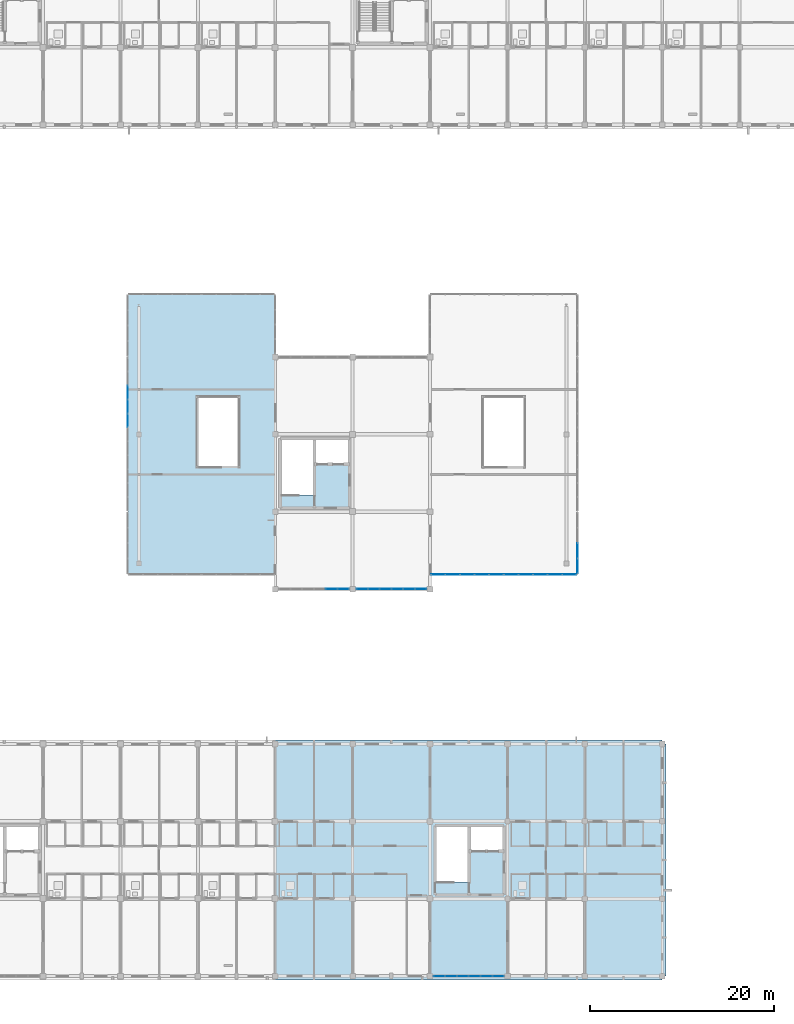
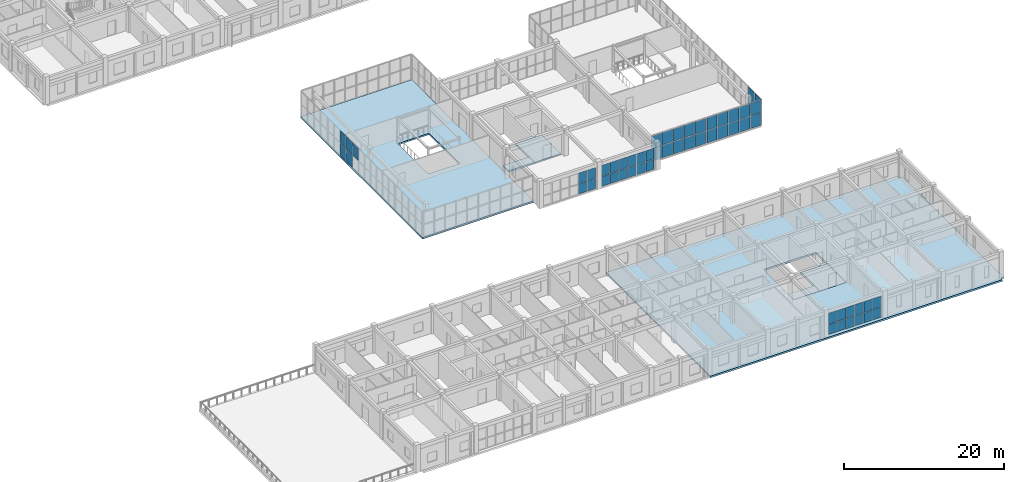
# One storey, part 53 of 81: 57 plates, 6 slabs, 7 elements without a shape of their own.
"""IFC4 building model written with IfcOpenShell, lengths in metres."""

from ifc_helpers import new_model, si_unit, direction, frame, origin, origin_2d, place, context, subcontext, project, spatial, polyline, rectangle, outline, extrude, material, layer, layer_set, type_object, element, aggregate, save


model = new_model("IFC4")

# Units and contexts
model_context = context("Model", 3, precision=1e-05, world=origin(), true_north=direction((0.0, 1.0)))
body_context = subcontext(model_context, "Body", "Model", "MODEL_VIEW")
ifc_project = project(units=[si_unit("LENGTHUNIT", "METRE"), si_unit("AREAUNIT", "SQUARE_METRE"), si_unit("VOLUMEUNIT", "CUBIC_METRE"), si_unit("PLANEANGLEUNIT", "RADIAN"), si_unit("MASSUNIT", "GRAM", prefix="KILO")], contexts=[model_context])

# Site, building, storey
site_placement = place(None, origin())
site = spatial("IfcSite", under=ifc_project, at=site_placement, CompositionType="ELEMENT")
building_placement = place(site_placement, origin())
building = spatial("IfcBuilding", under=site, at=building_placement, Name="Trelvath General Hospital", CompositionType="ELEMENT")
storey_placement = place(building_placement, frame((0.0, 0.0, 24.60009765625)))
storey = spatial("IfcBuildingStorey", under=building, at=storey_placement, Name="L06", CompositionType="ELEMENT", Elevation=24.60009765625)

# Curtain wall, plates
ifc_material_1 = material(Name="Anodised aluminium and low-E glass", Category="aluminium")
ifc_layer_1 = layer(ifc_material_1, 0.14990234375)
ifc_layer_set_1 = layer_set([ifc_layer_1], Name="Anodised aluminium and low-E glass")
curtain_wall_type_1 = type_object("IfcCurtainWallType", Name="CW Facade 767 334 15", PredefinedType="USERDEFINED", material=ifc_layer_set_1)
curtain_wall_1_placement = place(storey_placement, origin())
curtain_wall_1 = element("IfcCurtainWall", 1, at=curtain_wall_1_placement, inside=storey, type_object=curtain_wall_type_1, Name="Facade Curtain Wall CW-082", ObjectType="Unitised Glazed Curtain Wall", PredefinedType="USERDEFINED")
ifc_material_2 = material(Name="Low-E laminated glass", Category="glass")
ifc_layer_2 = layer(ifc_material_2, 0.028076171875)
ifc_layer_set_2 = layer_set([ifc_layer_2], Name="Low-E laminated glass")
plate_type_1 = type_object("IfcPlateType", Name="CurtainPanel Glass28", PredefinedType="CURTAIN_PANEL", material=ifc_layer_set_2)
plate_1_placement = place(storey_placement, frame((99.78076171875, 0.0, 0.06005859375), z_axis=(0.0, 0.0, 1.0), x_axis=(-1.0, 0.0, 0.0)))
plate_1 = element("IfcPlate", 2, at=plate_1_placement, type_object=plate_type_1, Name="CW-082 panel 1.1", PredefinedType="CURTAIN_PANEL", context=body_context, shape_type="SweptSolid", body=[
    extrude(rectangle(XDim=1.188232421875, YDim=0.028076171875, at=origin_2d()), origin(), (0.0, 0.0, 1.0), 1.512939453125),
])
plate_2_placement = place(storey_placement, frame((99.78076171875, 0.0, 1.6328125), z_axis=(0.0, 0.0, 1.0), x_axis=(-1.0, 0.0, 0.0)))
plate_2 = element("IfcPlate", 3, at=plate_2_placement, type_object=plate_type_1, Name="CW-082 panel 1.2", PredefinedType="CURTAIN_PANEL", context=body_context, shape_type="SweptSolid", body=[
    extrude(rectangle(XDim=1.188232421875, YDim=0.028076171875, at=origin_2d()), origin(), (0.0, 0.0, 1.0), 1.64697265625),
])
plate_3_placement = place(storey_placement, frame((98.517578125, 0.0, 0.06005859375), z_axis=(0.0, 0.0, 1.0), x_axis=(-1.0, 0.0, 0.0)))
plate_3 = element("IfcPlate", 4, at=plate_3_placement, type_object=plate_type_1, Name="CW-082 panel 2.1", PredefinedType="CURTAIN_PANEL", context=body_context, shape_type="SweptSolid", body=[
    extrude(rectangle(XDim=1.21826171875, YDim=0.028076171875, at=origin_2d()), origin(), (0.0, 0.0, 1.0), 1.512939453125),
])
plate_4_placement = place(storey_placement, frame((98.517578125, 0.0, 1.6328125), z_axis=(0.0, 0.0, 1.0), x_axis=(-1.0, 0.0, 0.0)))
plate_4 = element("IfcPlate", 5, at=plate_4_placement, type_object=plate_type_1, Name="CW-082 panel 2.2", PredefinedType="CURTAIN_PANEL", context=body_context, shape_type="SweptSolid", body=[
    extrude(rectangle(XDim=1.21826171875, YDim=0.028076171875, at=origin_2d()), origin(), (0.0, 0.0, 1.0), 1.64697265625),
])
plate_5_placement = place(storey_placement, frame((97.2392578125, 0.0, 0.06005859375), z_axis=(0.0, 0.0, 1.0), x_axis=(-1.0, 0.0, 0.0)))
plate_5 = element("IfcPlate", 6, at=plate_5_placement, type_object=plate_type_1, Name="CW-082 panel 3.1", PredefinedType="CURTAIN_PANEL", context=body_context, shape_type="SweptSolid", body=[
    extrude(rectangle(XDim=1.21826171875, YDim=0.028076171875, at=origin_2d()), origin(), (0.0, 0.0, 1.0), 1.512939453125),
])
plate_6_placement = place(storey_placement, frame((97.2392578125, 0.0, 1.6328125), z_axis=(0.0, 0.0, 1.0), x_axis=(-1.0, 0.0, 0.0)))
plate_6 = element("IfcPlate", 7, at=plate_6_placement, type_object=plate_type_1, Name="CW-082 panel 3.2", PredefinedType="CURTAIN_PANEL", context=body_context, shape_type="SweptSolid", body=[
    extrude(rectangle(XDim=1.21826171875, YDim=0.028076171875, at=origin_2d()), origin(), (0.0, 0.0, 1.0), 1.64697265625),
])
plate_7_placement = place(storey_placement, frame((95.9609375, 0.0, 0.06005859375), z_axis=(0.0, 0.0, 1.0), x_axis=(-1.0, 0.0, 0.0)))
plate_7 = element("IfcPlate", 8, at=plate_7_placement, type_object=plate_type_1, Name="CW-082 panel 4.1", PredefinedType="CURTAIN_PANEL", context=body_context, shape_type="SweptSolid", body=[
    extrude(rectangle(XDim=1.21826171875, YDim=0.028076171875, at=origin_2d()), origin(), (0.0, 0.0, 1.0), 1.512939453125),
])
plate_8_placement = place(storey_placement, frame((95.9609375, 0.0, 1.6328125), z_axis=(0.0, 0.0, 1.0), x_axis=(-1.0, 0.0, 0.0)))
plate_8 = element("IfcPlate", 9, at=plate_8_placement, type_object=plate_type_1, Name="CW-082 panel 4.2", PredefinedType="CURTAIN_PANEL", context=body_context, shape_type="SweptSolid", body=[
    extrude(rectangle(XDim=1.21826171875, YDim=0.028076171875, at=origin_2d()), origin(), (0.0, 0.0, 1.0), 1.64697265625),
])
plate_9_placement = place(storey_placement, frame((94.6826171875, 0.0, 0.06005859375), z_axis=(0.0, 0.0, 1.0), x_axis=(-1.0, 0.0, 0.0)))
plate_9 = element("IfcPlate", 10, at=plate_9_placement, type_object=plate_type_1, Name="CW-082 panel 5.1", PredefinedType="CURTAIN_PANEL", context=body_context, shape_type="SweptSolid", body=[
    extrude(rectangle(XDim=1.21826171875, YDim=0.028076171875, at=origin_2d()), origin(), (0.0, 0.0, 1.0), 1.512939453125),
])
plate_10_placement = place(storey_placement, frame((94.6826171875, 0.0, 1.6328125), z_axis=(0.0, 0.0, 1.0), x_axis=(-1.0, 0.0, 0.0)))
plate_10 = element("IfcPlate", 11, at=plate_10_placement, type_object=plate_type_1, Name="CW-082 panel 5.2", PredefinedType="CURTAIN_PANEL", context=body_context, shape_type="SweptSolid", body=[
    extrude(rectangle(XDim=1.21826171875, YDim=0.028076171875, at=origin_2d()), origin(), (0.0, 0.0, 1.0), 1.64697265625),
])
plate_11_placement = place(storey_placement, frame((93.419189453125, 0.0, 0.06005859375), z_axis=(0.0, 0.0, 1.0), x_axis=(-1.0, 0.0, 0.0)))
plate_11 = element("IfcPlate", 12, at=plate_11_placement, type_object=plate_type_1, Name="CW-082 panel 6.1", PredefinedType="CURTAIN_PANEL", context=body_context, shape_type="SweptSolid", body=[
    extrude(rectangle(XDim=1.188232421875, YDim=0.028076171875, at=origin_2d()), origin(), (0.0, 0.0, 1.0), 1.512939453125),
])
plate_12_placement = place(storey_placement, frame((93.419189453125, 0.0, 1.6328125), z_axis=(0.0, 0.0, 1.0), x_axis=(-1.0, 0.0, 0.0)))
plate_12 = element("IfcPlate", 13, at=plate_12_placement, type_object=plate_type_1, Name="CW-082 panel 6.2", PredefinedType="CURTAIN_PANEL", context=body_context, shape_type="SweptSolid", body=[
    extrude(rectangle(XDim=1.188232421875, YDim=0.028076171875, at=origin_2d()), origin(), (0.0, 0.0, 1.0), 1.64697265625),
])
aggregate(curtain_wall_1, [plate_1, plate_2, plate_3, plate_4, plate_5, plate_6, plate_7, plate_8, plate_9, plate_10, plate_11, plate_12])

ifc_material_3 = material(Name="Anodised aluminium and low-E glass", Category="aluminium")
ifc_layer_3 = layer(ifc_material_3, 0.139892578125)
ifc_layer_set_3 = layer_set([ifc_layer_3], Name="Anodised aluminium and low-E glass")
curtain_wall_type_2 = type_object("IfcCurtainWallType", Name="CW CrystalCube 1664 396 14", PredefinedType="USERDEFINED", material=ifc_layer_set_3)
curtain_wall_2_placement = place(storey_placement, origin())
curtain_wall_2 = element("IfcCurtainWall", 14, at=curtain_wall_2_placement, inside=storey, type_object=curtain_wall_type_2, Name="Crystal Cube Curtain Wall CUBE-W-T2 W2 L06", ObjectType="Unitised Glazed Curtain Wall", PredefinedType="USERDEFINED")
plate_13_placement = place(storey_placement, frame((59.60009765625, 60.312744140625, 2.009765625), z_axis=(0.0, 0.0, 1.0), x_axis=(0.0, 1.0, 0.0)))
plate_13 = element("IfcPlate", 15, at=plate_13_placement, type_object=plate_type_1, Name="CW-329 panel 7.2", PredefinedType="CURTAIN_PANEL", context=body_context, shape_type="SweptSolid", body=[
    extrude(rectangle(XDim=1.45263671875, YDim=0.028076171875, at=origin_2d()), origin(), (0.0, 0.0, 1.0), 1.889892578125),
])
plate_14_placement = place(storey_placement, frame((59.60009765625, 61.825439453125, 0.06005859375), z_axis=(0.0, 0.0, 1.0), x_axis=(0.0, 1.0, 0.0)))
plate_14 = element("IfcPlate", 16, at=plate_14_placement, type_object=plate_type_1, Name="CW-329 panel 8.1", PredefinedType="CURTAIN_PANEL", context=body_context, shape_type="SweptSolid", body=[
    extrude(rectangle(XDim=1.45263671875, YDim=0.028076171875, at=origin_2d()), origin(), (0.0, 0.0, 1.0), 1.889892578125),
])
plate_15_placement = place(storey_placement, frame((59.60009765625, 61.825439453125, 2.009765625), z_axis=(0.0, 0.0, 1.0), x_axis=(0.0, 1.0, 0.0)))
plate_15 = element("IfcPlate", 17, at=plate_15_placement, type_object=plate_type_1, Name="CW-329 panel 8.2", PredefinedType="CURTAIN_PANEL", context=body_context, shape_type="SweptSolid", body=[
    extrude(rectangle(XDim=1.45263671875, YDim=0.028076171875, at=origin_2d()), origin(), (0.0, 0.0, 1.0), 1.889892578125),
])
plate_16_placement = place(storey_placement, frame((59.60009765625, 63.338134765625, 0.06005859375), z_axis=(0.0, 0.0, 1.0), x_axis=(0.0, 1.0, 0.0)))
plate_16 = element("IfcPlate", 18, at=plate_16_placement, type_object=plate_type_1, Name="CW-329 panel 9.1", PredefinedType="CURTAIN_PANEL", context=body_context, shape_type="SweptSolid", body=[
    extrude(rectangle(XDim=1.45263671875, YDim=0.028076171875, at=origin_2d()), origin(), (0.0, 0.0, 1.0), 1.889892578125),
])
plate_17_placement = place(storey_placement, frame((59.60009765625, 63.338134765625, 2.009765625), z_axis=(0.0, 0.0, 1.0), x_axis=(0.0, 1.0, 0.0)))
plate_17 = element("IfcPlate", 19, at=plate_17_placement, type_object=plate_type_1, Name="CW-329 panel 9.2", PredefinedType="CURTAIN_PANEL", context=body_context, shape_type="SweptSolid", body=[
    extrude(rectangle(XDim=1.45263671875, YDim=0.028076171875, at=origin_2d()), origin(), (0.0, 0.0, 1.0), 1.889892578125),
])
aggregate(curtain_wall_2, [plate_13, plate_14, plate_15, plate_16, plate_17])

ifc_material_4 = material(Name="Anodised aluminium and low-E glass", Category="aluminium")
ifc_layer_4 = layer(ifc_material_4, 0.139892578125)
ifc_layer_set_4 = layer_set([ifc_layer_4], Name="Anodised aluminium and low-E glass")
curtain_wall_type_3 = type_object("IfcCurtainWallType", Name="CW CrystalCube 790 396 14", PredefinedType="USERDEFINED", material=ifc_layer_set_4)
curtain_wall_3_placement = place(storey_placement, origin())
curtain_wall_3 = element("IfcCurtainWall", 20, at=curtain_wall_3_placement, inside=storey, type_object=curtain_wall_type_3, Name="Crystal Cube Curtain Wall CUBE-E-T2 S1 L06", ObjectType="Unitised Glazed Curtain Wall", PredefinedType="USERDEFINED")
plate_18_placement = place(storey_placement, frame((99.574951171875, 43.60009765625, 0.06005859375), z_axis=(0.0, 0.0, 1.0), x_axis=(-1.0, 0.0, 0.0)))
plate_18 = element("IfcPlate", 21, at=plate_18_placement, type_object=plate_type_1, Name="CW-332 panel 1.1", PredefinedType="CURTAIN_PANEL", context=body_context, shape_type="SweptSolid", body=[
    extrude(rectangle(XDim=1.489990234375, YDim=0.028076171875, at=origin_2d()), origin(), (0.0, 0.0, 1.0), 1.889892578125),
])
plate_19_placement = place(storey_placement, frame((99.574951171875, 43.60009765625, 2.009765625), z_axis=(0.0, 0.0, 1.0), x_axis=(-1.0, 0.0, 0.0)))
plate_19 = element("IfcPlate", 22, at=plate_19_placement, type_object=plate_type_1, Name="CW-332 panel 1.2", PredefinedType="CURTAIN_PANEL", context=body_context, shape_type="SweptSolid", body=[
    extrude(rectangle(XDim=1.489990234375, YDim=0.028076171875, at=origin_2d()), origin(), (0.0, 0.0, 1.0), 1.889892578125),
])
plate_20_placement = place(storey_placement, frame((98.010009765625, 43.60009765625, 0.06005859375), z_axis=(0.0, 0.0, 1.0), x_axis=(-1.0, 0.0, 0.0)))
plate_20 = element("IfcPlate", 23, at=plate_20_placement, type_object=plate_type_1, Name="CW-332 panel 2.1", PredefinedType="CURTAIN_PANEL", context=body_context, shape_type="SweptSolid", body=[
    extrude(rectangle(XDim=1.52001953125, YDim=0.028076171875, at=origin_2d()), origin(), (0.0, 0.0, 1.0), 1.889892578125),
])
plate_21_placement = place(storey_placement, frame((98.010009765625, 43.60009765625, 2.009765625), z_axis=(0.0, 0.0, 1.0), x_axis=(-1.0, 0.0, 0.0)))
plate_21 = element("IfcPlate", 24, at=plate_21_placement, type_object=plate_type_1, Name="CW-332 panel 2.2", PredefinedType="CURTAIN_PANEL", context=body_context, shape_type="SweptSolid", body=[
    extrude(rectangle(XDim=1.52001953125, YDim=0.028076171875, at=origin_2d()), origin(), (0.0, 0.0, 1.0), 1.889892578125),
])
plate_22_placement = place(storey_placement, frame((96.429931640625, 43.60009765625, 0.06005859375), z_axis=(0.0, 0.0, 1.0), x_axis=(-1.0, 0.0, 0.0)))
plate_22 = element("IfcPlate", 25, at=plate_22_placement, type_object=plate_type_1, Name="CW-332 panel 3.1", PredefinedType="CURTAIN_PANEL", context=body_context, shape_type="SweptSolid", body=[
    extrude(rectangle(XDim=1.52001953125, YDim=0.028076171875, at=origin_2d()), origin(), (0.0, 0.0, 1.0), 1.889892578125),
])
plate_23_placement = place(storey_placement, frame((96.429931640625, 43.60009765625, 2.009765625), z_axis=(0.0, 0.0, 1.0), x_axis=(-1.0, 0.0, 0.0)))
plate_23 = element("IfcPlate", 26, at=plate_23_placement, type_object=plate_type_1, Name="CW-332 panel 3.2", PredefinedType="CURTAIN_PANEL", context=body_context, shape_type="SweptSolid", body=[
    extrude(rectangle(XDim=1.52001953125, YDim=0.028076171875, at=origin_2d()), origin(), (0.0, 0.0, 1.0), 1.889892578125),
])
plate_24_placement = place(storey_placement, frame((94.85009765625, 43.60009765625, 0.06005859375), z_axis=(0.0, 0.0, 1.0), x_axis=(-1.0, 0.0, 0.0)))
plate_24 = element("IfcPlate", 27, at=plate_24_placement, type_object=plate_type_1, Name="CW-332 panel 4.1", PredefinedType="CURTAIN_PANEL", context=body_context, shape_type="SweptSolid", body=[
    extrude(rectangle(XDim=1.52001953125, YDim=0.028076171875, at=origin_2d()), origin(), (0.0, 0.0, 1.0), 1.889892578125),
])
plate_25_placement = place(storey_placement, frame((94.85009765625, 43.60009765625, 2.009765625), z_axis=(0.0, 0.0, 1.0), x_axis=(-1.0, 0.0, 0.0)))
plate_25 = element("IfcPlate", 28, at=plate_25_placement, type_object=plate_type_1, Name="CW-332 panel 4.2", PredefinedType="CURTAIN_PANEL", context=body_context, shape_type="SweptSolid", body=[
    extrude(rectangle(XDim=1.52001953125, YDim=0.028076171875, at=origin_2d()), origin(), (0.0, 0.0, 1.0), 1.889892578125),
])
plate_26_placement = place(storey_placement, frame((93.284912109375, 43.60009765625, 0.06005859375), z_axis=(0.0, 0.0, 1.0), x_axis=(-1.0, 0.0, 0.0)))
plate_26 = element("IfcPlate", 29, at=plate_26_placement, type_object=plate_type_1, Name="CW-332 panel 5.1", PredefinedType="CURTAIN_PANEL", context=body_context, shape_type="SweptSolid", body=[
    extrude(rectangle(XDim=1.489990234375, YDim=0.028076171875, at=origin_2d()), origin(), (0.0, 0.0, 1.0), 1.889892578125),
])
plate_27_placement = place(storey_placement, frame((93.284912109375, 43.60009765625, 2.009765625), z_axis=(0.0, 0.0, 1.0), x_axis=(-1.0, 0.0, 0.0)))
plate_27 = element("IfcPlate", 30, at=plate_27_placement, type_object=plate_type_1, Name="CW-332 panel 5.2", PredefinedType="CURTAIN_PANEL", context=body_context, shape_type="SweptSolid", body=[
    extrude(rectangle(XDim=1.489990234375, YDim=0.028076171875, at=origin_2d()), origin(), (0.0, 0.0, 1.0), 1.889892578125),
])
aggregate(curtain_wall_3, [plate_18, plate_19, plate_20, plate_21, plate_22, plate_23, plate_24, plate_25, plate_26, plate_27])

curtain_wall_4_placement = place(storey_placement, origin())
curtain_wall_4 = element("IfcCurtainWall", 31, at=curtain_wall_4_placement, inside=storey, type_object=curtain_wall_type_3, Name="Crystal Cube Curtain Wall CUBE-E-T2 S2 L06", ObjectType="Unitised Glazed Curtain Wall", PredefinedType="USERDEFINED")
plate_28_placement = place(storey_placement, frame((107.514892578125, 43.60009765625, 0.06005859375), z_axis=(0.0, 0.0, 1.0), x_axis=(-1.0, 0.0, 0.0)))
plate_28 = element("IfcPlate", 32, at=plate_28_placement, type_object=plate_type_1, Name="CW-333 panel 1.1", PredefinedType="CURTAIN_PANEL", context=body_context, shape_type="SweptSolid", body=[
    extrude(rectangle(XDim=1.489990234375, YDim=0.028076171875, at=origin_2d()), origin(), (0.0, 0.0, 1.0), 1.889892578125),
])
plate_29_placement = place(storey_placement, frame((107.514892578125, 43.60009765625, 2.009765625), z_axis=(0.0, 0.0, 1.0), x_axis=(-1.0, 0.0, 0.0)))
plate_29 = element("IfcPlate", 33, at=plate_29_placement, type_object=plate_type_1, Name="CW-333 panel 1.2", PredefinedType="CURTAIN_PANEL", context=body_context, shape_type="SweptSolid", body=[
    extrude(rectangle(XDim=1.489990234375, YDim=0.028076171875, at=origin_2d()), origin(), (0.0, 0.0, 1.0), 1.889892578125),
])
plate_30_placement = place(storey_placement, frame((105.949951171875, 43.60009765625, 0.06005859375), z_axis=(0.0, 0.0, 1.0), x_axis=(-1.0, 0.0, 0.0)))
plate_30 = element("IfcPlate", 34, at=plate_30_placement, type_object=plate_type_1, Name="CW-333 panel 2.1", PredefinedType="CURTAIN_PANEL", context=body_context, shape_type="SweptSolid", body=[
    extrude(rectangle(XDim=1.52001953125, YDim=0.028076171875, at=origin_2d()), origin(), (0.0, 0.0, 1.0), 1.889892578125),
])
plate_31_placement = place(storey_placement, frame((105.949951171875, 43.60009765625, 2.009765625), z_axis=(0.0, 0.0, 1.0), x_axis=(-1.0, 0.0, 0.0)))
plate_31 = element("IfcPlate", 35, at=plate_31_placement, type_object=plate_type_1, Name="CW-333 panel 2.2", PredefinedType="CURTAIN_PANEL", context=body_context, shape_type="SweptSolid", body=[
    extrude(rectangle(XDim=1.52001953125, YDim=0.028076171875, at=origin_2d()), origin(), (0.0, 0.0, 1.0), 1.889892578125),
])
plate_32_placement = place(storey_placement, frame((104.3701171875, 43.60009765625, 0.06005859375), z_axis=(0.0, 0.0, 1.0), x_axis=(-1.0, 0.0, 0.0)))
plate_32 = element("IfcPlate", 36, at=plate_32_placement, type_object=plate_type_1, Name="CW-333 panel 3.1", PredefinedType="CURTAIN_PANEL", context=body_context, shape_type="SweptSolid", body=[
    extrude(rectangle(XDim=1.52001953125, YDim=0.028076171875, at=origin_2d()), origin(), (0.0, 0.0, 1.0), 1.889892578125),
])
plate_33_placement = place(storey_placement, frame((104.3701171875, 43.60009765625, 2.009765625), z_axis=(0.0, 0.0, 1.0), x_axis=(-1.0, 0.0, 0.0)))
plate_33 = element("IfcPlate", 37, at=plate_33_placement, type_object=plate_type_1, Name="CW-333 panel 3.2", PredefinedType="CURTAIN_PANEL", context=body_context, shape_type="SweptSolid", body=[
    extrude(rectangle(XDim=1.52001953125, YDim=0.028076171875, at=origin_2d()), origin(), (0.0, 0.0, 1.0), 1.889892578125),
])
plate_34_placement = place(storey_placement, frame((102.7900390625, 43.60009765625, 0.06005859375), z_axis=(0.0, 0.0, 1.0), x_axis=(-1.0, 0.0, 0.0)))
plate_34 = element("IfcPlate", 38, at=plate_34_placement, type_object=plate_type_1, Name="CW-333 panel 4.1", PredefinedType="CURTAIN_PANEL", context=body_context, shape_type="SweptSolid", body=[
    extrude(rectangle(XDim=1.52001953125, YDim=0.028076171875, at=origin_2d()), origin(), (0.0, 0.0, 1.0), 1.889892578125),
])
plate_35_placement = place(storey_placement, frame((102.7900390625, 43.60009765625, 2.009765625), z_axis=(0.0, 0.0, 1.0), x_axis=(-1.0, 0.0, 0.0)))
plate_35 = element("IfcPlate", 39, at=plate_35_placement, type_object=plate_type_1, Name="CW-333 panel 4.2", PredefinedType="CURTAIN_PANEL", context=body_context, shape_type="SweptSolid", body=[
    extrude(rectangle(XDim=1.52001953125, YDim=0.028076171875, at=origin_2d()), origin(), (0.0, 0.0, 1.0), 1.889892578125),
])
plate_36_placement = place(storey_placement, frame((101.22509765625, 43.60009765625, 0.06005859375), z_axis=(0.0, 0.0, 1.0), x_axis=(-1.0, 0.0, 0.0)))
plate_36 = element("IfcPlate", 40, at=plate_36_placement, type_object=plate_type_1, Name="CW-333 panel 5.1", PredefinedType="CURTAIN_PANEL", context=body_context, shape_type="SweptSolid", body=[
    extrude(rectangle(XDim=1.489990234375, YDim=0.028076171875, at=origin_2d()), origin(), (0.0, 0.0, 1.0), 1.889892578125),
])
plate_37_placement = place(storey_placement, frame((101.22509765625, 43.60009765625, 2.009765625), z_axis=(0.0, 0.0, 1.0), x_axis=(-1.0, 0.0, 0.0)))
plate_37 = element("IfcPlate", 41, at=plate_37_placement, type_object=plate_type_1, Name="CW-333 panel 5.2", PredefinedType="CURTAIN_PANEL", context=body_context, shape_type="SweptSolid", body=[
    extrude(rectangle(XDim=1.489990234375, YDim=0.028076171875, at=origin_2d()), origin(), (0.0, 0.0, 1.0), 1.889892578125),
])
aggregate(curtain_wall_4, [plate_28, plate_29, plate_30, plate_31, plate_32, plate_33, plate_34, plate_35, plate_36, plate_37])

ifc_material_5 = material(Name="Anodised aluminium and low-E glass", Category="aluminium")
ifc_layer_5 = layer(ifc_material_5, 0.139892578125)
ifc_layer_set_5 = layer_set([ifc_layer_5], Name="Anodised aluminium and low-E glass")
curtain_wall_type_4 = type_object("IfcCurtainWallType", Name="CW CrystalCube 664 396 14", PredefinedType="USERDEFINED", material=ifc_layer_set_5)
curtain_wall_5_placement = place(storey_placement, origin())
curtain_wall_5 = element("IfcCurtainWall", 42, at=curtain_wall_5_placement, inside=storey, type_object=curtain_wall_type_4, Name="Crystal Cube Curtain Wall CUBE-E-T2 E1 L06", ObjectType="Unitised Glazed Curtain Wall", PredefinedType="USERDEFINED")
plate_38_placement = place(storey_placement, frame((108.39990234375, 46.169921875, 0.06005859375), z_axis=(0.0, 0.0, 1.0), x_axis=(0.0, -1.0, 0.0)))
plate_38 = element("IfcPlate", 43, at=plate_38_placement, type_object=plate_type_1, Name="CW-336 panel 3.1", PredefinedType="CURTAIN_PANEL", context=body_context, shape_type="SweptSolid", body=[
    extrude(rectangle(XDim=1.60009765625, YDim=0.028076171875, at=origin_2d()), origin(), (0.0, 0.0, 1.0), 1.889892578125),
])
plate_39_placement = place(storey_placement, frame((108.39990234375, 46.169921875, 2.009765625), z_axis=(0.0, 0.0, 1.0), x_axis=(0.0, -1.0, 0.0)))
plate_39 = element("IfcPlate", 44, at=plate_39_placement, type_object=plate_type_1, Name="CW-336 panel 3.2", PredefinedType="CURTAIN_PANEL", context=body_context, shape_type="SweptSolid", body=[
    extrude(rectangle(XDim=1.60009765625, YDim=0.028076171875, at=origin_2d()), origin(), (0.0, 0.0, 1.0), 1.889892578125),
])
plate_40_placement = place(storey_placement, frame((108.39990234375, 44.52490234375, 0.06005859375), z_axis=(0.0, 0.0, 1.0), x_axis=(0.0, -1.0, 0.0)))
plate_40 = element("IfcPlate", 45, at=plate_40_placement, type_object=plate_type_1, Name="CW-336 panel 4.1", PredefinedType="CURTAIN_PANEL", context=body_context, shape_type="SweptSolid", body=[
    extrude(rectangle(XDim=1.570068359375, YDim=0.028076171875, at=origin_2d()), origin(), (0.0, 0.0, 1.0), 1.889892578125),
])
plate_41_placement = place(storey_placement, frame((108.39990234375, 44.52490234375, 2.009765625), z_axis=(0.0, 0.0, 1.0), x_axis=(0.0, -1.0, 0.0)))
plate_41 = element("IfcPlate", 46, at=plate_41_placement, type_object=plate_type_1, Name="CW-336 panel 4.2", PredefinedType="CURTAIN_PANEL", context=body_context, shape_type="SweptSolid", body=[
    extrude(rectangle(XDim=1.570068359375, YDim=0.028076171875, at=origin_2d()), origin(), (0.0, 0.0, 1.0), 1.889892578125),
])
aggregate(curtain_wall_5, [plate_38, plate_39, plate_40, plate_41])

curtain_wall_6_placement = place(storey_placement, origin())
curtain_wall_6 = element("IfcCurtainWall", 47, at=curtain_wall_6_placement, inside=storey, type_object=curtain_wall_type_1, Name="Facade Curtain Wall CW-078", ObjectType="Unitised Glazed Curtain Wall", PredefinedType="USERDEFINED")
ifc_material_6 = material(Name="Low-E laminated glass", Category="glass")
ifc_layer_6 = layer(ifc_material_6, 0.035888671875)
ifc_layer_set_6 = layer_set([ifc_layer_6], Name="Low-E laminated glass")
plate_type_2 = type_object("IfcPlateType", Name="CurtainPanel Glass36", PredefinedType="CURTAIN_PANEL", material=ifc_layer_set_6)
plate_42_placement = place(storey_placement, frame((82.980712890625, 42.0, 0.06005859375), z_axis=(0.0, 0.0, 1.0), x_axis=(-1.0, 0.0, 0.0)))
plate_42 = element("IfcPlate", 48, at=plate_42_placement, type_object=plate_type_2, Name="CW-078 panel 1.1", PredefinedType="CURTAIN_PANEL", context=body_context, shape_type="SweptSolid", body=[
    extrude(rectangle(XDim=1.188232421875, YDim=0.035888671875, at=origin_2d()), origin(), (0.0, 0.0, 1.0), 1.512939453125),
])
plate_43_placement = place(storey_placement, frame((82.980712890625, 42.0, 1.6328125), z_axis=(0.0, 0.0, 1.0), x_axis=(-1.0, 0.0, 0.0)))
plate_43 = element("IfcPlate", 49, at=plate_43_placement, type_object=plate_type_2, Name="CW-078 panel 1.2", PredefinedType="CURTAIN_PANEL", context=body_context, shape_type="SweptSolid", body=[
    extrude(rectangle(XDim=1.188232421875, YDim=0.035888671875, at=origin_2d()), origin(), (0.0, 0.0, 1.0), 1.64697265625),
])
plate_44_placement = place(storey_placement, frame((81.717529296875, 42.0, 0.06005859375), z_axis=(0.0, 0.0, 1.0), x_axis=(-1.0, 0.0, 0.0)))
plate_44 = element("IfcPlate", 50, at=plate_44_placement, type_object=plate_type_2, Name="CW-078 panel 2.1", PredefinedType="CURTAIN_PANEL", context=body_context, shape_type="SweptSolid", body=[
    extrude(rectangle(XDim=1.21826171875, YDim=0.035888671875, at=origin_2d()), origin(), (0.0, 0.0, 1.0), 1.512939453125),
])
plate_45_placement = place(storey_placement, frame((81.717529296875, 42.0, 1.6328125), z_axis=(0.0, 0.0, 1.0), x_axis=(-1.0, 0.0, 0.0)))
plate_45 = element("IfcPlate", 51, at=plate_45_placement, type_object=plate_type_2, Name="CW-078 panel 2.2", PredefinedType="CURTAIN_PANEL", context=body_context, shape_type="SweptSolid", body=[
    extrude(rectangle(XDim=1.21826171875, YDim=0.035888671875, at=origin_2d()), origin(), (0.0, 0.0, 1.0), 1.64697265625),
])
aggregate(curtain_wall_6, [plate_42, plate_43, plate_44, plate_45])

curtain_wall_7_placement = place(storey_placement, origin())
curtain_wall_7 = element("IfcCurtainWall", 52, at=curtain_wall_7_placement, inside=storey, type_object=curtain_wall_type_1, Name="Facade Curtain Wall CW-080", ObjectType="Unitised Glazed Curtain Wall", PredefinedType="USERDEFINED")
plate_46_placement = place(storey_placement, frame((91.380859375, 42.0, 0.06005859375), z_axis=(0.0, 0.0, 1.0), x_axis=(-1.0, 0.0, 0.0)))
plate_46 = element("IfcPlate", 53, at=plate_46_placement, type_object=plate_type_2, Name="CW-080 panel 1.1", PredefinedType="CURTAIN_PANEL", context=body_context, shape_type="SweptSolid", body=[
    extrude(rectangle(XDim=1.188232421875, YDim=0.035888671875, at=origin_2d()), origin(), (0.0, 0.0, 1.0), 1.512939453125),
])
plate_47_placement = place(storey_placement, frame((91.380859375, 42.0, 1.6328125), z_axis=(0.0, 0.0, 1.0), x_axis=(-1.0, 0.0, 0.0)))
plate_47 = element("IfcPlate", 54, at=plate_47_placement, type_object=plate_type_2, Name="CW-080 panel 1.2", PredefinedType="CURTAIN_PANEL", context=body_context, shape_type="SweptSolid", body=[
    extrude(rectangle(XDim=1.188232421875, YDim=0.035888671875, at=origin_2d()), origin(), (0.0, 0.0, 1.0), 1.64697265625),
])
plate_48_placement = place(storey_placement, frame((90.117431640625, 42.0, 0.06005859375), z_axis=(0.0, 0.0, 1.0), x_axis=(-1.0, 0.0, 0.0)))
plate_48 = element("IfcPlate", 55, at=plate_48_placement, type_object=plate_type_2, Name="CW-080 panel 2.1", PredefinedType="CURTAIN_PANEL", context=body_context, shape_type="SweptSolid", body=[
    extrude(rectangle(XDim=1.21826171875, YDim=0.035888671875, at=origin_2d()), origin(), (0.0, 0.0, 1.0), 1.512939453125),
])
plate_49_placement = place(storey_placement, frame((90.117431640625, 42.0, 1.6328125), z_axis=(0.0, 0.0, 1.0), x_axis=(-1.0, 0.0, 0.0)))
plate_49 = element("IfcPlate", 56, at=plate_49_placement, type_object=plate_type_2, Name="CW-080 panel 2.2", PredefinedType="CURTAIN_PANEL", context=body_context, shape_type="SweptSolid", body=[
    extrude(rectangle(XDim=1.21826171875, YDim=0.035888671875, at=origin_2d()), origin(), (0.0, 0.0, 1.0), 1.64697265625),
])
plate_50_placement = place(storey_placement, frame((88.839111328125, 42.0, 0.06005859375), z_axis=(0.0, 0.0, 1.0), x_axis=(-1.0, 0.0, 0.0)))
plate_50 = element("IfcPlate", 57, at=plate_50_placement, type_object=plate_type_2, Name="CW-080 panel 3.1", PredefinedType="CURTAIN_PANEL", context=body_context, shape_type="SweptSolid", body=[
    extrude(rectangle(XDim=1.21826171875, YDim=0.035888671875, at=origin_2d()), origin(), (0.0, 0.0, 1.0), 1.512939453125),
])
plate_51_placement = place(storey_placement, frame((88.839111328125, 42.0, 1.6328125), z_axis=(0.0, 0.0, 1.0), x_axis=(-1.0, 0.0, 0.0)))
plate_51 = element("IfcPlate", 58, at=plate_51_placement, type_object=plate_type_2, Name="CW-080 panel 3.2", PredefinedType="CURTAIN_PANEL", context=body_context, shape_type="SweptSolid", body=[
    extrude(rectangle(XDim=1.21826171875, YDim=0.035888671875, at=origin_2d()), origin(), (0.0, 0.0, 1.0), 1.64697265625),
])
plate_52_placement = place(storey_placement, frame((87.560791015625, 42.0, 0.06005859375), z_axis=(0.0, 0.0, 1.0), x_axis=(-1.0, 0.0, 0.0)))
plate_52 = element("IfcPlate", 59, at=plate_52_placement, type_object=plate_type_2, Name="CW-080 panel 4.1", PredefinedType="CURTAIN_PANEL", context=body_context, shape_type="SweptSolid", body=[
    extrude(rectangle(XDim=1.21826171875, YDim=0.035888671875, at=origin_2d()), origin(), (0.0, 0.0, 1.0), 1.512939453125),
])
plate_53_placement = place(storey_placement, frame((87.560791015625, 42.0, 1.6328125), z_axis=(0.0, 0.0, 1.0), x_axis=(-1.0, 0.0, 0.0)))
plate_53 = element("IfcPlate", 60, at=plate_53_placement, type_object=plate_type_2, Name="CW-080 panel 4.2", PredefinedType="CURTAIN_PANEL", context=body_context, shape_type="SweptSolid", body=[
    extrude(rectangle(XDim=1.21826171875, YDim=0.035888671875, at=origin_2d()), origin(), (0.0, 0.0, 1.0), 1.64697265625),
])
plate_54_placement = place(storey_placement, frame((86.282470703125, 42.0, 0.06005859375), z_axis=(0.0, 0.0, 1.0), x_axis=(-1.0, 0.0, 0.0)))
plate_54 = element("IfcPlate", 61, at=plate_54_placement, type_object=plate_type_2, Name="CW-080 panel 5.1", PredefinedType="CURTAIN_PANEL", context=body_context, shape_type="SweptSolid", body=[
    extrude(rectangle(XDim=1.21826171875, YDim=0.035888671875, at=origin_2d()), origin(), (0.0, 0.0, 1.0), 1.512939453125),
])
plate_55_placement = place(storey_placement, frame((86.282470703125, 42.0, 1.6328125), z_axis=(0.0, 0.0, 1.0), x_axis=(-1.0, 0.0, 0.0)))
plate_55 = element("IfcPlate", 62, at=plate_55_placement, type_object=plate_type_2, Name="CW-080 panel 5.2", PredefinedType="CURTAIN_PANEL", context=body_context, shape_type="SweptSolid", body=[
    extrude(rectangle(XDim=1.21826171875, YDim=0.035888671875, at=origin_2d()), origin(), (0.0, 0.0, 1.0), 1.64697265625),
])
plate_56_placement = place(storey_placement, frame((85.019287109375, 42.0, 0.06005859375), z_axis=(0.0, 0.0, 1.0), x_axis=(-1.0, 0.0, 0.0)))
plate_56 = element("IfcPlate", 63, at=plate_56_placement, type_object=plate_type_2, Name="CW-080 panel 6.1", PredefinedType="CURTAIN_PANEL", context=body_context, shape_type="SweptSolid", body=[
    extrude(rectangle(XDim=1.188232421875, YDim=0.035888671875, at=origin_2d()), origin(), (0.0, 0.0, 1.0), 1.512939453125),
])
plate_57_placement = place(storey_placement, frame((85.019287109375, 42.0, 1.6328125), z_axis=(0.0, 0.0, 1.0), x_axis=(-1.0, 0.0, 0.0)))
plate_57 = element("IfcPlate", 64, at=plate_57_placement, type_object=plate_type_2, Name="CW-080 panel 6.2", PredefinedType="CURTAIN_PANEL", context=body_context, shape_type="SweptSolid", body=[
    extrude(rectangle(XDim=1.188232421875, YDim=0.035888671875, at=origin_2d()), origin(), (0.0, 0.0, 1.0), 1.64697265625),
])
aggregate(curtain_wall_7, [plate_46, plate_47, plate_48, plate_49, plate_50, plate_51, plate_52, plate_53, plate_54, plate_55, plate_56, plate_57])

# Slabs
ifc_material_7 = material(Name="Concrete C35/45", Category="concrete")
ifc_layer_7 = layer(ifc_material_7, 0.239990234375)
ifc_layer_set_7 = layer_set([ifc_layer_7], Name="Concrete C35/45")
slab_type_1 = type_object("IfcSlabType", Name="FlatSlab Cube240", PredefinedType="FLOOR", material=ifc_layer_set_7)
slab_1_placement = place(storey_placement, frame((0.0, 0.0, -0.239990234375)))
element("IfcSlab", 65, at=slab_1_placement, inside=storey, type_object=slab_type_1, Name="Crystal Cube Slab CUBE-W-T2 L06", PredefinedType="FLOOR", context=body_context, shape_type="SweptSolid", body=[
    extrude(outline(polyline([(59.60009765625, 43.60009765625), (75.60009765625, 43.60009765625), (75.60009765625, 74.0), (59.60009765625, 74.0), (59.60009765625, 43.60009765625)]), holes=[polyline([(67.14990234375, 55.25), (71.64990234375, 55.25), (71.64990234375, 62.85009765625), (67.14990234375, 62.85009765625), (67.14990234375, 55.25)])]), origin(), (0.0, 0.0, 1.0), 0.239990234375),
])
ifc_material_8 = material(Name="Concrete C35/45", Category="concrete")
ifc_layer_8 = layer(ifc_material_8, 0.260009765625)
ifc_layer_set_8 = layer_set([ifc_layer_8], Name="Concrete C35/45")
slab_type_2 = type_object("IfcSlabType", Name="FlatSlab Ward260", PredefinedType="FLOOR", material=ifc_layer_set_8)
slab_2_placement = place(storey_placement, frame((0.0, 0.0, -0.260009765625)))
element("IfcSlab", 66, at=slab_2_placement, inside=storey, type_object=slab_type_2, Name="Floor Slab SL-L06-V6-S1", PredefinedType="FLOOR", context=body_context, shape_type="SweptSolid", body=[
    extrude(outline(polyline([(75.6201171875, -0.419921875), (75.6201171875, 25.6201171875), (117.60009765625, 25.6201171875), (117.60009765625, 25.199951171875), (118.02001953125, 25.199951171875), (118.02001953125, 0.0), (117.60009765625, 0.0), (117.60009765625, -0.419921875), (75.6201171875, -0.419921875)]), holes=[polyline([(92.949951171875, 8.800048828125), (100.449951171875, 8.800048828125), (100.449951171875, 16.35009765625), (92.949951171875, 16.35009765625), (92.949951171875, 8.800048828125)])]), origin(), (0.0, 0.0, 1.0), 0.260009765625),
])
slab_3_placement = place(storey_placement, frame((0.0, 0.0, -0.260009765625)))
element("IfcSlab", 67, at=slab_3_placement, inside=storey, type_object=slab_type_2, Name="Core Lobby Slab C5 L06", PredefinedType="FLOOR", context=body_context, shape_type="SweptSolid", body=[
    extrude(outline(polyline([(96.64990234375, 8.800048828125), (100.449951171875, 8.800048828125), (100.449951171875, 13.550048828125), (96.64990234375, 13.550048828125), (96.64990234375, 8.800048828125)])), origin(), (0.0, 0.0, 1.0), 0.260009765625),
])
slab_4_placement = place(storey_placement, frame((0.0, 0.0, -0.260009765625)))
element("IfcSlab", 68, at=slab_4_placement, inside=storey, type_object=slab_type_2, Name="Stair Landing Slab C5 L06", PredefinedType="FLOOR", context=body_context, shape_type="SweptSolid", body=[
    extrude(outline(polyline([(92.949951171875, 8.800048828125), (96.64990234375, 8.800048828125), (96.64990234375, 10.199951171875), (92.949951171875, 10.199951171875), (92.949951171875, 8.800048828125)])), origin(), (0.0, 0.0, 1.0), 0.260009765625),
])
slab_5_placement = place(storey_placement, frame((0.0, 0.0, -0.260009765625)))
element("IfcSlab", 69, at=slab_5_placement, inside=storey, type_object=slab_type_2, Name="Core Lobby Slab C6 L06", PredefinedType="FLOOR", context=body_context, shape_type="SweptSolid", body=[
    extrude(outline(polyline([(79.85009765625, 50.800048828125), (83.64990234375, 50.800048828125), (83.64990234375, 55.550048828125), (79.85009765625, 55.550048828125), (79.85009765625, 50.800048828125)])), origin(), (0.0, 0.0, 1.0), 0.260009765625),
])
slab_6_placement = place(storey_placement, frame((0.0, 0.0, -0.260009765625)))
element("IfcSlab", 70, at=slab_6_placement, inside=storey, type_object=slab_type_2, Name="Stair Landing Slab C6 L06", PredefinedType="FLOOR", context=body_context, shape_type="SweptSolid", body=[
    extrude(outline(polyline([(76.14990234375, 50.800048828125), (79.85009765625, 50.800048828125), (79.85009765625, 52.199951171875), (76.14990234375, 52.199951171875), (76.14990234375, 50.800048828125)])), origin(), (0.0, 0.0, 1.0), 0.260009765625),
])

save(model, "model.ifc")
